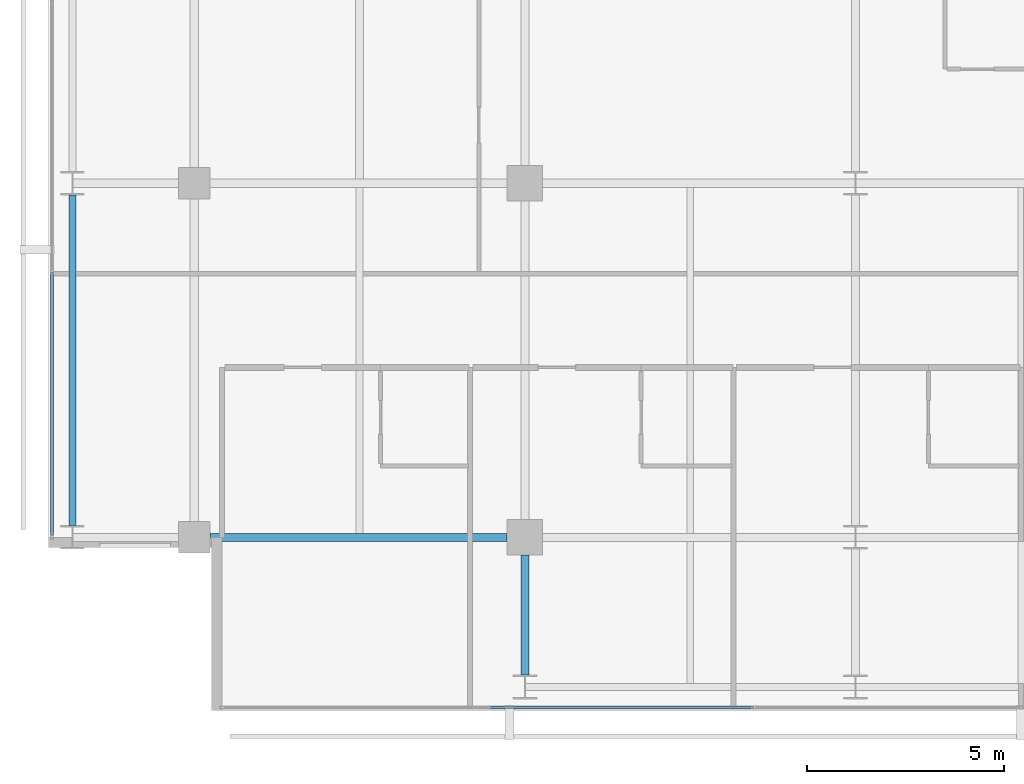
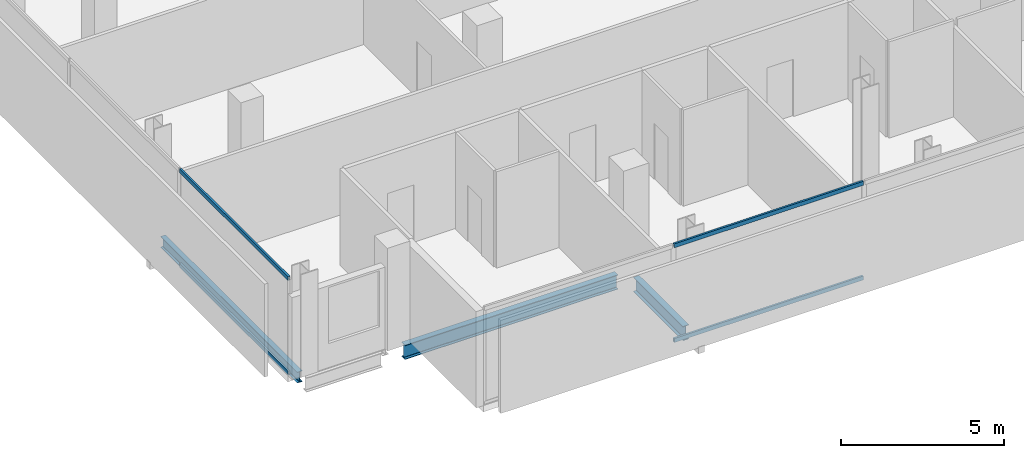
# One storey, part 3 of 33: 4 members, 3 beams, 2 elements without a shape of their own.
"""IFC4 building model written with IfcOpenShell, lengths in metres."""

from ifc_helpers import new_model, si_unit, direction, frame, origin, origin_2d, place, context, subcontext, project, spatial, hollow_rectangle, i_section, extrude, material, layer, layer_set, material_profile, profile_set, type_object, element, aggregate, save


model = new_model("IFC4")

# Units and contexts
model_context = context("Model", 3, precision=1e-05, world=origin(), true_north=direction((0.0, 1.0)))
body_context = subcontext(model_context, "Body", "Model", "MODEL_VIEW")
ifc_project = project(units=[si_unit("LENGTHUNIT", "METRE"), si_unit("AREAUNIT", "SQUARE_METRE"), si_unit("VOLUMEUNIT", "CUBIC_METRE"), si_unit("PLANEANGLEUNIT", "RADIAN"), si_unit("MASSUNIT", "GRAM", prefix="KILO")], contexts=[model_context])

# Site, building, storey
site_placement = place(None, origin())
site = spatial("IfcSite", under=ifc_project, at=site_placement, CompositionType="ELEMENT")
building_placement = place(site_placement, origin())
building = spatial("IfcBuilding", under=site, at=building_placement, Name="Maruvema Waterfront Hotel and Observation Tower", CompositionType="ELEMENT")
storey_placement = place(building_placement, frame((0.0, 0.0, 200.550048828125)))
storey = spatial("IfcBuildingStorey", under=building, at=storey_placement, Name="L49", CompositionType="ELEMENT", Elevation=200.550048828125)

# Curtain wall, members
ifc_material_1 = material(Name="Anodised bronze aluminium and solar-control low-E IGU", Category="aluminium")
ifc_layer = layer(ifc_material_1, 0.159912109375, Name="Zone 2 Amber Inner Thermal Curtain Wall System CW-03")
ifc_layer_set = layer_set([ifc_layer], Name="Anodised bronze aluminium and solar-control low-E IGU")
curtain_wall_type = type_object("IfcCurtainWallType", Name="Zone 2 Amber Inner Thermal Curtain Wall System CW-03", PredefinedType="USERDEFINED", material=ifc_layer_set)
curtain_wall_1_placement = place(storey_placement, origin())
curtain_wall_1 = element("IfcCurtainWall", 1, at=curtain_wall_1_placement, inside=storey, type_object=curtain_wall_type, Name="L49 Curtain Wall CW-L49-S", ObjectType="UNITISED CURTAIN WALL", PredefinedType="USERDEFINED")
ifc_material_2 = material(Name="Anodised architectural bronze aluminium", Category="aluminium")
ifc_material_profile_1 = material_profile(ifc_material_2, hollow_rectangle(XDim=0.070068359375, YDim=0.14990234375, WallThickness=0.00390625, at=origin_2d()), Name="ALU-T70x150")
ifc_profile_set_1 = profile_set([ifc_material_profile_1], Name="Anodised architectural bronze aluminium")
member_type = type_object("IfcMemberType", Name="Curtain Wall Horizontal Transom ALU-T70x150", PredefinedType="USERDEFINED", material=ifc_profile_set_1)
member_1_placement = place(storey_placement, frame((24.296630859375, 4.679931640625, 0.030029296875), z_axis=(1.0, 0.0, 0.0), x_axis=(0.0, 1.0, 0.0)))
member_1 = element("IfcMember", 2, at=member_1_placement, type_object=member_type, Name="CW-03 transom 2.1", ObjectType="TRANSOM", PredefinedType="USERDEFINED", context=body_context, shape_type="SweptSolid", body=[
    extrude(hollow_rectangle(XDim=0.070068359375, YDim=0.14990234375, WallThickness=0.00390625, at=origin_2d()), origin(), (0.0, 0.0, 1.0), 6.706787109375),
])
member_2_placement = place(storey_placement, frame((24.296630859375, 4.679931640625, 3.579833984375), z_axis=(1.0, 0.0, 0.0), x_axis=(0.0, 1.0, 0.0)))
member_2 = element("IfcMember", 3, at=member_2_placement, type_object=member_type, Name="CW-03 transom 2.2", ObjectType="TRANSOM", PredefinedType="USERDEFINED", context=body_context, shape_type="SweptSolid", body=[
    extrude(hollow_rectangle(XDim=0.070068359375, YDim=0.14990234375, WallThickness=0.00390625, at=origin_2d()), origin(), (0.0, 0.0, 1.0), 6.706787109375),
])
aggregate(curtain_wall_1, [member_1, member_2])

curtain_wall_2_placement = place(storey_placement, origin())
curtain_wall_2 = element("IfcCurtainWall", 4, at=curtain_wall_2_placement, inside=storey, type_object=curtain_wall_type, Name="L49 Curtain Wall CW-L49-W", ObjectType="UNITISED CURTAIN WALL", PredefinedType="USERDEFINED")
member_3_placement = place(storey_placement, frame((13.179931640625, 15.736572265625, 0.030029296875), z_axis=(0.0, -1.0, 0.0), x_axis=(1.0, 0.0, 0.0)))
member_3 = element("IfcMember", 5, at=member_3_placement, type_object=member_type, Name="CW-03 transom 6.1", ObjectType="TRANSOM", PredefinedType="USERDEFINED", context=body_context, shape_type="SweptSolid", body=[
    extrude(hollow_rectangle(XDim=0.070068359375, YDim=0.14990234375, WallThickness=0.00390625, at=origin_2d()), origin(), (0.0, 0.0, 1.0), 6.676513671875),
])
member_4_placement = place(storey_placement, frame((13.179931640625, 15.736572265625, 3.579833984375), z_axis=(0.0, -1.0, 0.0), x_axis=(1.0, 0.0, 0.0)))
member_4 = element("IfcMember", 6, at=member_4_placement, type_object=member_type, Name="CW-03 transom 6.2", ObjectType="TRANSOM", PredefinedType="USERDEFINED", context=body_context, shape_type="SweptSolid", body=[
    extrude(hollow_rectangle(XDim=0.070068359375, YDim=0.14990234375, WallThickness=0.00390625, at=origin_2d()), origin(), (0.0, 0.0, 1.0), 6.676513671875),
])
aggregate(curtain_wall_2, [member_3, member_4])

# Beams
ifc_material_3 = material(Name="Steel ASTM A572 Grade 50", Category="steel")
ifc_material_profile_2 = material_profile(ifc_material_3, i_section(OverallWidth=0.178955078125, OverallDepth=0.409912109375, WebThickness=0.0087890625, FlangeThickness=0.014404296875, FilletRadius=0.014892578125, at=origin_2d()), Name="W410x67.0")
ifc_profile_set_2 = profile_set([ifc_material_profile_2], Name="Steel ASTM A572 Grade 50")
beam_type_1 = type_object("IfcBeamType", Name="Perimeter Spandrel Beam W410x67.0", PredefinedType="SPANDREL", material=ifc_profile_set_2)
beam_1_placement = place(storey_placement, frame((13.699951171875, 9.300048828125, -0.445068359375), z_axis=(0.0, 1.0, 0.0), x_axis=(-1.0, 0.0, 0.0)))
element("IfcBeam", 7, at=beam_1_placement, inside=storey, type_object=beam_type_1, Name="L49 Floor Girder NS-01", PredefinedType="SPANDREL", context=body_context, shape_type="SweptSolid", body=[
    extrude(i_section(OverallWidth=0.178955078125, OverallDepth=0.409912109375, WebThickness=0.0087890625, FlangeThickness=0.014404296875, FilletRadius=0.014892578125, at=origin_2d()), origin(), (0.0, 0.0, 1.0), 8.39990234375),
])
ifc_material_4 = material(Name="Steel ASTM A572 Grade 50", Category="steel")
ifc_material_profile_3 = material_profile(ifc_material_4, i_section(OverallWidth=0.2109375, OverallDepth=0.5390625, WebThickness=0.01171875, FlangeThickness=0.018798828125, FilletRadius=0.014892578125, at=origin_2d()), Name="W530x109.0")
ifc_profile_set_3 = profile_set([ifc_material_profile_3], Name="Steel ASTM A572 Grade 50")
beam_type_2 = type_object("IfcBeamType", Name="Primary Floor Girder W530x109.0", PredefinedType="BEAM", material=ifc_profile_set_3)
beam_2_placement = place(storey_placement, frame((17.199951171875, 9.0, -0.509521484375), z_axis=(1.0, 0.0, 0.0), x_axis=(0.0, 1.0, 0.0)))
element("IfcBeam", 8, at=beam_2_placement, inside=storey, type_object=beam_type_2, Name="L49 Floor Girder EW-05", PredefinedType="BEAM", context=body_context, shape_type="SweptSolid", body=[
    extrude(i_section(OverallWidth=0.2109375, OverallDepth=0.5390625, WebThickness=0.01171875, FlangeThickness=0.018798828125, FilletRadius=0.014892578125, at=origin_2d()), origin(), (0.0, 0.0, 1.0), 7.550048828125),
])
beam_3_placement = place(storey_placement, frame((25.199951171875, 5.5, -0.509521484375), z_axis=(0.0, 1.0, 0.0), x_axis=(-1.0, 0.0, 0.0)))
element("IfcBeam", 9, at=beam_3_placement, inside=storey, type_object=beam_type_2, Name="L49 Floor Girder NS-09", PredefinedType="BEAM", context=body_context, shape_type="SweptSolid", body=[
    extrude(i_section(OverallWidth=0.2109375, OverallDepth=0.5390625, WebThickness=0.01171875, FlangeThickness=0.018798828125, FilletRadius=0.014892578125, at=origin_2d()), origin(), (0.0, 0.0, 1.0), 3.050048828125),
])

save(model, "model.ifc")
